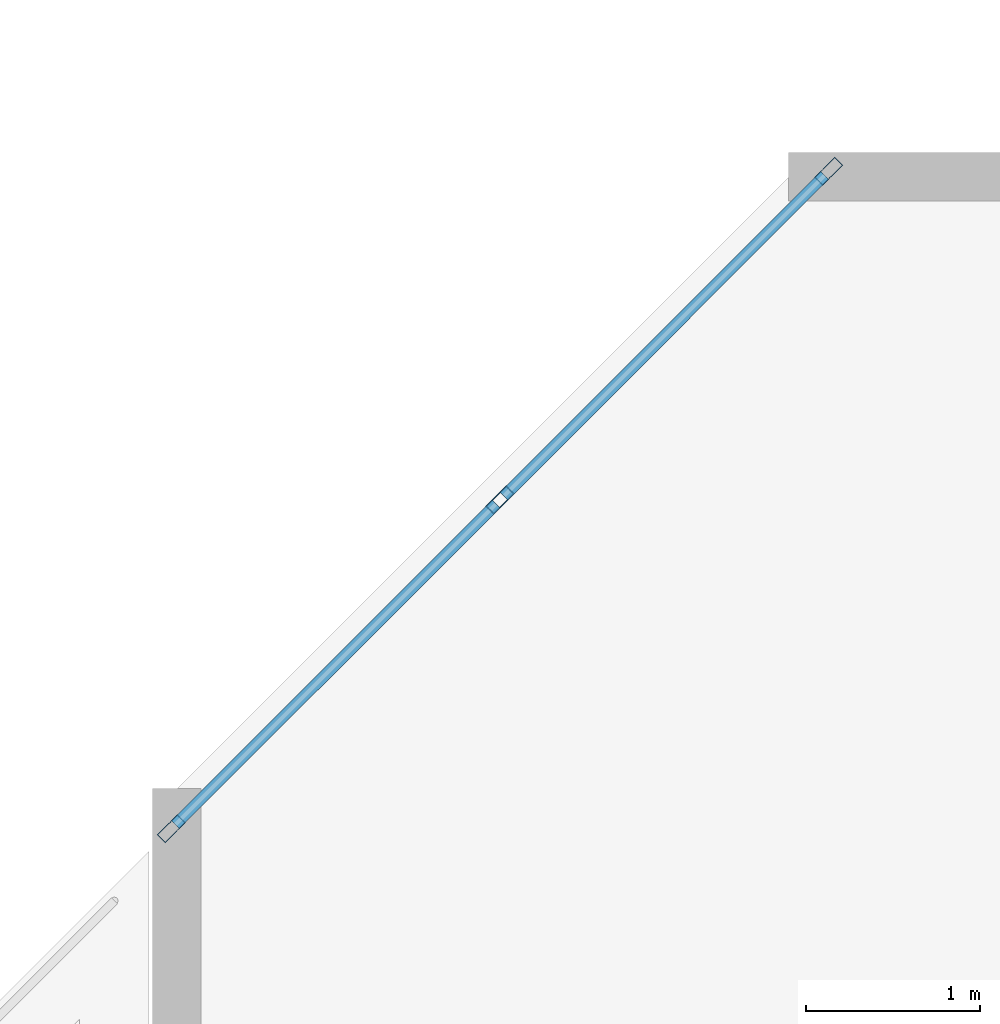
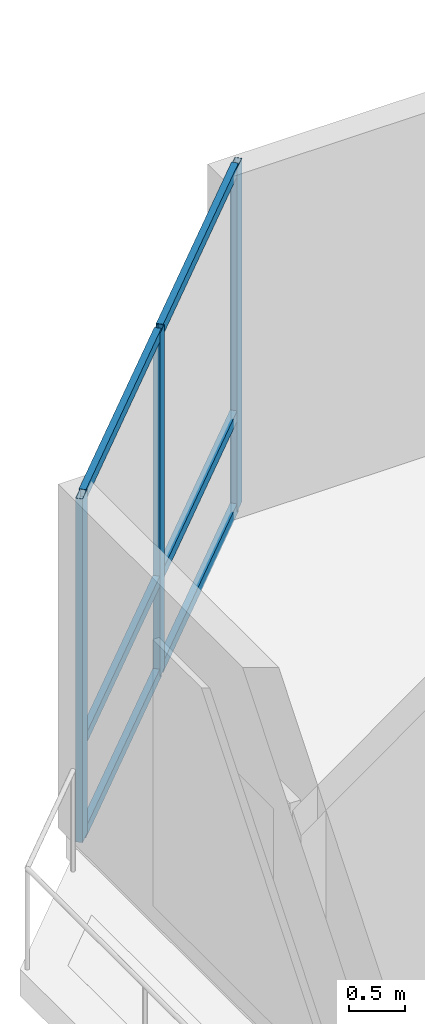
# One storey, part 2 of 13: 9 members, 1 element without a shape of its own.
"""IFC4 building model written with IfcOpenShell, lengths in metres."""

from ifc_helpers import new_model, si_unit, direction, frame, origin, origin_2d, place, context, subcontext, project, spatial, hollow_rectangle, extrude, material, layer, layer_set, material_profile, profile_set, type_object, element, aggregate, save


model = new_model("IFC4")

# Units and contexts
model_context = context("Model", 3, precision=1e-05, world=origin(), true_north=direction((0.0, 1.0)))
body_context = subcontext(model_context, "Body", "Model", "MODEL_VIEW")
ifc_project = project(units=[si_unit("LENGTHUNIT", "METRE"), si_unit("AREAUNIT", "SQUARE_METRE"), si_unit("VOLUMEUNIT", "CUBIC_METRE"), si_unit("PLANEANGLEUNIT", "RADIAN"), si_unit("MASSUNIT", "GRAM", prefix="KILO")], contexts=[model_context])

# Site, building, storey
site_placement = place(None, origin())
site = spatial("IfcSite", under=ifc_project, at=site_placement, CompositionType="ELEMENT")
building_placement = place(site_placement, origin())
building = spatial("IfcBuilding", under=site, at=building_placement, Name="Kestravale Grand Hotel", CompositionType="ELEMENT")
storey_placement = place(building_placement, frame((0.0, 0.0, 245.39990234375)))
storey = spatial("IfcBuildingStorey", under=building, at=storey_placement, Name="L61", CompositionType="ELEMENT", Elevation=245.39990234375)

# Curtain wall, members
ifc_material_1 = material(Name="Thermally broken champagne-bronze aluminium and low-E glazing", Category="aluminium")
ifc_layer = layer(ifc_material_1, 0.179931640625)
ifc_layer_set = layer_set([ifc_layer], Name="CW-Z4")
curtain_wall_type = type_object("IfcCurtainWallType", Name="CW-Z4", PredefinedType="NOTDEFINED", material=ifc_layer_set)
curtain_wall_placement = place(storey_placement, origin())
curtain_wall = element("IfcCurtainWall", 1, at=curtain_wall_placement, inside=storey, type_object=curtain_wall_type, Name="L61 unitised curtain wall 18", PredefinedType="NOTDEFINED")
ifc_material_2 = material(Name="Aluminium 6063-T6 anodised", Category="aluminium")
ifc_material_profile_1 = material_profile(ifc_material_2, hollow_rectangle(XDim=0.06494140625, YDim=0.1650390625, WallThickness=0.00341796875, at=origin_2d()))
ifc_profile_set_1 = profile_set([ifc_material_profile_1], Name="Aluminium 6063-T6 anodised")
member_type_1 = type_object("IfcMemberType", Name="CW-MUL-165", PredefinedType="MULLION", material=ifc_profile_set_1)
member_1_placement = place(storey_placement, frame((11.690185546875, 44.59228515625, 0.0), z_axis=(0.0, 0.0, 1.0), x_axis=(0.707106781187, -0.707106781187, 0.0)))
member_1 = element("IfcMember", 2, at=member_1_placement, type_object=member_type_1, Name="CW-Z4 mullion 1", PredefinedType="MULLION", context=body_context, shape_type="SweptSolid", body=[
    extrude(hollow_rectangle(XDim=0.06494140625, YDim=0.1650390625, WallThickness=0.00341796875, at=origin_2d()), origin(), (0.0, 0.0, 1.0), 3.760009765625),
])
member_2_placement = place(storey_placement, frame((9.799072265625, 42.700927734375, 0.0), z_axis=(0.0, 0.0, 1.0), x_axis=(0.707106781187, -0.707106781187, 0.0)))
member_2 = element("IfcMember", 3, at=member_2_placement, type_object=member_type_1, Name="CW-Z4 mullion 2", PredefinedType="MULLION", context=body_context, shape_type="SweptSolid", body=[
    extrude(hollow_rectangle(XDim=0.06494140625, YDim=0.1650390625, WallThickness=0.00341796875, at=origin_2d()), origin(), (0.0, 0.0, 1.0), 3.760009765625),
])
member_3_placement = place(storey_placement, frame((7.90771484375, 40.809814453125, 0.0), z_axis=(0.0, 0.0, 1.0), x_axis=(0.707106781187, -0.707106781187, 0.0)))
member_3 = element("IfcMember", 4, at=member_3_placement, type_object=member_type_1, Name="CW-Z4 mullion 3", PredefinedType="MULLION", context=body_context, shape_type="SweptSolid", body=[
    extrude(hollow_rectangle(XDim=0.06494140625, YDim=0.1650390625, WallThickness=0.00341796875, at=origin_2d()), origin(), (0.0, 0.0, 1.0), 3.760009765625),
])
ifc_material_3 = material(Name="Aluminium 6063-T6 anodised", Category="aluminium")
ifc_material_profile_2 = material_profile(ifc_material_3, hollow_rectangle(XDim=0.06494140625, YDim=0.114990234375, WallThickness=0.003173828125, at=origin_2d()))
ifc_profile_set_2 = profile_set([ifc_material_profile_2], Name="Aluminium 6063-T6 anodised")
member_type_2 = type_object("IfcMemberType", Name="CW-TRN-115", PredefinedType="USERDEFINED", material=ifc_profile_set_2)
member_4_placement = place(storey_placement, frame((11.667236328125, 44.5693359375, 0.03271484375), z_axis=(-0.707060004037, -0.707153555242, 0.0), x_axis=(0.707153555242, -0.707060004037, 0.0)))
member_4 = element("IfcMember", 5, at=member_4_placement, type_object=member_type_2, Name="CW-Z4 transom 1.1", ObjectType="TRANSOM", PredefinedType="USERDEFINED", context=body_context, shape_type="SweptSolid", body=[
    extrude(hollow_rectangle(XDim=0.06494140625, YDim=0.114990234375, WallThickness=0.003173828125, at=origin_2d()), origin(), (0.0, 0.0, 1.0), 2.609619140625),
])
member_5_placement = place(storey_placement, frame((11.667236328125, 44.5693359375, 1.050048828125), z_axis=(-0.707060004037, -0.707153555242, 0.0), x_axis=(0.707153555242, -0.707060004037, 0.0)))
member_5 = element("IfcMember", 6, at=member_5_placement, type_object=member_type_2, Name="CW-Z4 transom 1.2", ObjectType="TRANSOM", PredefinedType="USERDEFINED", context=body_context, shape_type="SweptSolid", body=[
    extrude(hollow_rectangle(XDim=0.06494140625, YDim=0.114990234375, WallThickness=0.003173828125, at=origin_2d()), origin(), (0.0, 0.0, 1.0), 2.609619140625),
])
member_6_placement = place(storey_placement, frame((11.667236328125, 44.5693359375, 3.7275390625), z_axis=(-0.707060004037, -0.707153555242, 0.0), x_axis=(0.707153555242, -0.707060004037, 0.0)))
member_6 = element("IfcMember", 7, at=member_6_placement, type_object=member_type_2, Name="CW-Z4 transom 1.3", ObjectType="TRANSOM", PredefinedType="USERDEFINED", context=body_context, shape_type="SweptSolid", body=[
    extrude(hollow_rectangle(XDim=0.06494140625, YDim=0.114990234375, WallThickness=0.003173828125, at=origin_2d()), origin(), (0.0, 0.0, 1.0), 2.609619140625),
])
member_7_placement = place(storey_placement, frame((9.776123046875, 42.677978515625, 0.03271484375), z_axis=(-0.707153555242, -0.707060004037, 0.0), x_axis=(0.707060004037, -0.707153555242, 0.0)))
member_7 = element("IfcMember", 8, at=member_7_placement, type_object=member_type_2, Name="CW-Z4 transom 2.1", ObjectType="TRANSOM", PredefinedType="USERDEFINED", context=body_context, shape_type="SweptSolid", body=[
    extrude(hollow_rectangle(XDim=0.06494140625, YDim=0.114990234375, WallThickness=0.003173828125, at=origin_2d()), origin(), (0.0, 0.0, 1.0), 2.609619140625),
])
member_8_placement = place(storey_placement, frame((9.776123046875, 42.677978515625, 1.050048828125), z_axis=(-0.707153555242, -0.707060004037, 0.0), x_axis=(0.707060004037, -0.707153555242, 0.0)))
member_8 = element("IfcMember", 9, at=member_8_placement, type_object=member_type_2, Name="CW-Z4 transom 2.2", ObjectType="TRANSOM", PredefinedType="USERDEFINED", context=body_context, shape_type="SweptSolid", body=[
    extrude(hollow_rectangle(XDim=0.06494140625, YDim=0.114990234375, WallThickness=0.003173828125, at=origin_2d()), origin(), (0.0, 0.0, 1.0), 2.609619140625),
])
member_9_placement = place(storey_placement, frame((9.776123046875, 42.677978515625, 3.7275390625), z_axis=(-0.707153555242, -0.707060004037, 0.0), x_axis=(0.707060004037, -0.707153555242, 0.0)))
member_9 = element("IfcMember", 10, at=member_9_placement, type_object=member_type_2, Name="CW-Z4 transom 2.3", ObjectType="TRANSOM", PredefinedType="USERDEFINED", context=body_context, shape_type="SweptSolid", body=[
    extrude(hollow_rectangle(XDim=0.06494140625, YDim=0.114990234375, WallThickness=0.003173828125, at=origin_2d()), origin(), (0.0, 0.0, 1.0), 2.609619140625),
])
aggregate(curtain_wall, [member_1, member_2, member_3, member_4, member_5, member_6, member_7, member_8, member_9])

save(model, "model.ifc")
